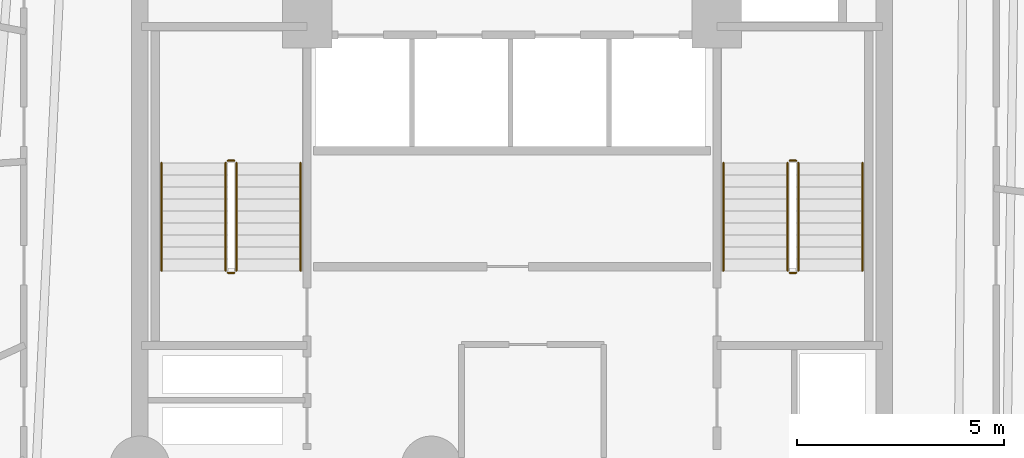
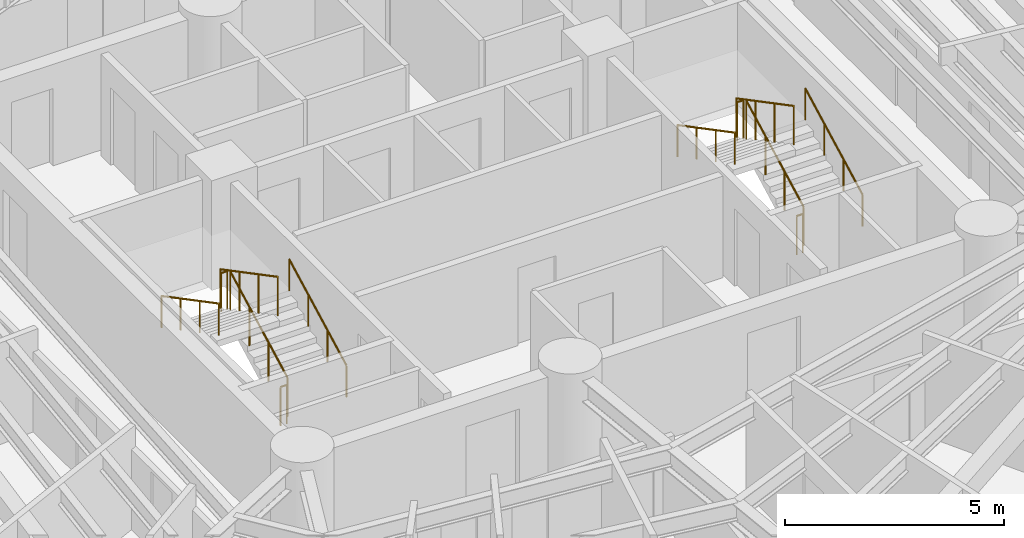
# One storey, part 7 of 7: 12 railings.
"""IFC4 building model written with IfcOpenShell, lengths in metres."""

from ifc_helpers import new_model, si_unit, direction, frame, origin, origin_2d, place, context, subcontext, project, spatial, circle, extrude, material, layer, layer_set, type_object, element, save


model = new_model("IFC4")

# Units and contexts
model_context = context("Model", 3, precision=1e-05, world=origin(), true_north=direction((0.0, 1.0)))
body_context = subcontext(model_context, "Body", "Model", "MODEL_VIEW")
ifc_project = project(units=[si_unit("LENGTHUNIT", "METRE"), si_unit("AREAUNIT", "SQUARE_METRE"), si_unit("VOLUMEUNIT", "CUBIC_METRE"), si_unit("PLANEANGLEUNIT", "RADIAN"), si_unit("MASSUNIT", "GRAM", prefix="KILO")], contexts=[model_context])

# Site, building, storey
site_placement = place(None, origin())
site = spatial("IfcSite", under=ifc_project, at=site_placement, CompositionType="ELEMENT")
building_placement = place(site_placement, origin())
building = spatial("IfcBuilding", under=site, at=building_placement, Name="Karkom Vertical University and Central Library", CompositionType="ELEMENT")
storey_placement = place(building_placement, frame((0.0, 0.0, 135.85009765625)))
storey = spatial("IfcBuildingStorey", under=building, at=storey_placement, Name="L38", CompositionType="ELEMENT", Elevation=135.85009765625)

# Railings
ifc_material_1 = material(Name="Painted galvanised steel balustrade", Category="steel")
ifc_layer_1 = layer(ifc_material_1, 0.06005859375)
ifc_layer_set_1 = layer_set([ifc_layer_1], Name="Painted galvanised steel balustrade")
railing_type_1 = type_object("IfcRailingType", Name="INT-RL-GUARD1100", PredefinedType="GUARDRAIL", material=ifc_layer_set_1)
railing_1_placement = place(storey_placement, frame((21.840087890625, 23.02001953125, 0.15234375)))
element("IfcRailing", 1, at=railing_1_placement, inside=storey, type_object=railing_type_1, Name="Level 38 ST-1 stair guard 1", PredefinedType="GUARDRAIL", context=body_context, shape_type="SweptSolid", body=[
    extrude(circle(Radius=0.02392578125, at=origin_2d()), frame((0.0, 0.0, 1.076171875), z_axis=(0.0, 0.885065446896, 0.46546659892), x_axis=(-1.0, 0.0, 0.0)), (0.0, 0.0, 1.0), 2.94873046875),
    extrude(circle(Radius=0.02099609375, at=origin_2d()), origin(), (0.0, 0.0, 1.0), 1.052001953125),
    extrude(circle(Radius=0.02099609375, at=origin_2d()), frame((0.0, 0.869873046875, 0.45751953125)), (0.0, 0.0, 1.0), 1.052001953125),
    extrude(circle(Radius=0.02099609375, at=origin_2d()), frame((0.0, 1.739990234375, 0.9150390625)), (0.0, 0.0, 1.0), 1.052001953125),
    extrude(circle(Radius=0.02099609375, at=origin_2d()), frame((0.0, 2.60986328125, 1.37255859375)), (0.0, 0.0, 1.0), 1.052001953125),
])
railing_2_placement = place(storey_placement, frame((21.7900390625, 25.679931640625, 1.52490234375)))
element("IfcRailing", 2, at=railing_2_placement, inside=storey, type_object=railing_type_1, Name="Level 38 ST-1 stair guard 2", PredefinedType="GUARDRAIL", context=body_context, shape_type="SweptSolid", body=[
    extrude(circle(Radius=0.02392578125, at=origin_2d()), frame((0.0, 0.0, 1.076171875), z_axis=(-1.0, 0.0, 0.0), x_axis=(0.0, -1.0, 0.0)), (0.0, 0.0, 1.0), 0.16015625),
    extrude(circle(Radius=0.02099609375, at=origin_2d()), origin(), (0.0, 0.0, 1.0), 1.052001953125),
    extrude(circle(Radius=0.02099609375, at=origin_2d()), frame((-0.16015625, 0.0, 0.0)), (0.0, 0.0, 1.0), 1.052001953125),
])
railing_3_placement = place(storey_placement, frame((21.580078125, 25.6298828125, 1.677490234375)))
element("IfcRailing", 3, at=railing_3_placement, inside=storey, type_object=railing_type_1, Name="Level 38 ST-1 stair guard 3", PredefinedType="GUARDRAIL", context=body_context, shape_type="SweptSolid", body=[
    extrude(circle(Radius=0.02392578125, at=origin_2d()), frame((0.0, 0.0, 1.076171875), z_axis=(0.0, -0.885099554253, 0.465401739426), x_axis=(1.0, 0.0, 0.0)), (0.0, 0.0, 1.0), 2.94873046875),
    extrude(circle(Radius=0.02099609375, at=origin_2d()), origin(), (0.0, 0.0, 1.0), 1.052001953125),
    extrude(circle(Radius=0.02099609375, at=origin_2d()), frame((0.0, -0.869873046875, 0.45751953125)), (0.0, 0.0, 1.0), 1.052001953125),
    extrude(circle(Radius=0.02099609375, at=origin_2d()), frame((0.0, -1.739990234375, 0.914794921875)), (0.0, 0.0, 1.0), 1.052001953125),
    extrude(circle(Radius=0.02099609375, at=origin_2d()), frame((0.0, -2.60986328125, 1.372314453125)), (0.0, 0.0, 1.0), 1.052001953125),
])
railing_4_placement = place(storey_placement, frame((21.7900390625, 22.969970703125, 0.0)))
element("IfcRailing", 4, at=railing_4_placement, inside=storey, type_object=railing_type_1, Name="Level 38 ST-1 stair guard 4", PredefinedType="GUARDRAIL", context=body_context, shape_type="SweptSolid", body=[
    extrude(circle(Radius=0.02392578125, at=origin_2d()), frame((0.0, 0.0, 1.076171875), z_axis=(-1.0, 0.0, 0.0), x_axis=(0.0, -1.0, 0.0)), (0.0, 0.0, 1.0), 0.16015625),
    extrude(circle(Radius=0.02099609375, at=origin_2d()), origin(), (0.0, 0.0, 1.0), 1.052001953125),
    extrude(circle(Radius=0.02099609375, at=origin_2d()), frame((-0.16015625, 0.0, 0.0)), (0.0, 0.0, 1.0), 1.052001953125),
])
railing_5_placement = place(storey_placement, frame((35.419921875, 23.02001953125, 0.15234375)))
element("IfcRailing", 5, at=railing_5_placement, inside=storey, type_object=railing_type_1, Name="Level 38 ST-2 stair guard 1", PredefinedType="GUARDRAIL", context=body_context, shape_type="SweptSolid", body=[
    extrude(circle(Radius=0.02392578125, at=origin_2d()), frame((0.0, 0.0, 1.076171875), z_axis=(0.0, 0.885065446896, 0.46546659892), x_axis=(-1.0, 0.0, 0.0)), (0.0, 0.0, 1.0), 2.94873046875),
    extrude(circle(Radius=0.02099609375, at=origin_2d()), origin(), (0.0, 0.0, 1.0), 1.052001953125),
    extrude(circle(Radius=0.02099609375, at=origin_2d()), frame((0.0, 0.869873046875, 0.45751953125)), (0.0, 0.0, 1.0), 1.052001953125),
    extrude(circle(Radius=0.02099609375, at=origin_2d()), frame((0.0, 1.739990234375, 0.9150390625)), (0.0, 0.0, 1.0), 1.052001953125),
    extrude(circle(Radius=0.02099609375, at=origin_2d()), frame((0.0, 2.60986328125, 1.37255859375)), (0.0, 0.0, 1.0), 1.052001953125),
])
railing_6_placement = place(storey_placement, frame((35.3701171875, 25.679931640625, 1.52490234375)))
element("IfcRailing", 6, at=railing_6_placement, inside=storey, type_object=railing_type_1, Name="Level 38 ST-2 stair guard 2", PredefinedType="GUARDRAIL", context=body_context, shape_type="SweptSolid", body=[
    extrude(circle(Radius=0.02392578125, at=origin_2d()), frame((0.0, 0.0, 1.076171875), z_axis=(-1.0, 0.0, 0.0), x_axis=(0.0, -1.0, 0.0)), (0.0, 0.0, 1.0), 0.16015625),
    extrude(circle(Radius=0.02099609375, at=origin_2d()), origin(), (0.0, 0.0, 1.0), 1.052001953125),
    extrude(circle(Radius=0.02099609375, at=origin_2d()), frame((-0.16015625, 0.0, 0.0)), (0.0, 0.0, 1.0), 1.052001953125),
])
railing_7_placement = place(storey_placement, frame((35.159912109375, 25.6298828125, 1.677490234375)))
element("IfcRailing", 7, at=railing_7_placement, inside=storey, type_object=railing_type_1, Name="Level 38 ST-2 stair guard 3", PredefinedType="GUARDRAIL", context=body_context, shape_type="SweptSolid", body=[
    extrude(circle(Radius=0.02392578125, at=origin_2d()), frame((0.0, 0.0, 1.076171875), z_axis=(0.0, -0.885099554253, 0.465401739426), x_axis=(1.0, 0.0, 0.0)), (0.0, 0.0, 1.0), 2.94873046875),
    extrude(circle(Radius=0.02099609375, at=origin_2d()), origin(), (0.0, 0.0, 1.0), 1.052001953125),
    extrude(circle(Radius=0.02099609375, at=origin_2d()), frame((0.0, -0.869873046875, 0.45751953125)), (0.0, 0.0, 1.0), 1.052001953125),
    extrude(circle(Radius=0.02099609375, at=origin_2d()), frame((0.0, -1.739990234375, 0.914794921875)), (0.0, 0.0, 1.0), 1.052001953125),
    extrude(circle(Radius=0.02099609375, at=origin_2d()), frame((0.0, -2.60986328125, 1.372314453125)), (0.0, 0.0, 1.0), 1.052001953125),
])
railing_8_placement = place(storey_placement, frame((35.3701171875, 22.969970703125, 0.0)))
element("IfcRailing", 8, at=railing_8_placement, inside=storey, type_object=railing_type_1, Name="Level 38 ST-2 stair guard 4", PredefinedType="GUARDRAIL", context=body_context, shape_type="SweptSolid", body=[
    extrude(circle(Radius=0.02392578125, at=origin_2d()), frame((0.0, 0.0, 1.076171875), z_axis=(-1.0, 0.0, 0.0), x_axis=(0.0, -1.0, 0.0)), (0.0, 0.0, 1.0), 0.16015625),
    extrude(circle(Radius=0.02099609375, at=origin_2d()), origin(), (0.0, 0.0, 1.0), 1.052001953125),
    extrude(circle(Radius=0.02099609375, at=origin_2d()), frame((-0.16015625, 0.0, 0.0)), (0.0, 0.0, 1.0), 1.052001953125),
])
ifc_material_2 = material(Name="Brushed stainless-steel tubular handrail", Category="steel")
ifc_layer_2 = layer(ifc_material_2, 0.048095703125)
ifc_layer_set_2 = layer_set([ifc_layer_2], Name="Brushed stainless-steel tubular handrail")
railing_type_2 = type_object("IfcRailingType", Name="INT-RL-HAND920", PredefinedType="HANDRAIL", material=ifc_layer_set_2)
railing_9_placement = place(storey_placement, frame((23.389892578125, 23.02001953125, 0.15234375)))
element("IfcRailing", 9, at=railing_9_placement, inside=storey, type_object=railing_type_2, Name="Level 38 ST-1 stair handrail 1", PredefinedType="HANDRAIL", context=body_context, shape_type="SweptSolid", body=[
    extrude(circle(Radius=0.02392578125, at=origin_2d()), frame((0.0, 0.0, 0.8759765625), z_axis=(0.0, 0.885065446896, 0.46546659892), x_axis=(-1.0, 0.0, 0.0)), (0.0, 0.0, 1.0), 2.94873046875),
    extrude(circle(Radius=0.02099609375, at=origin_2d()), origin(), (0.0, 0.0, 1.0), 0.851806640625),
    extrude(circle(Radius=0.02099609375, at=origin_2d()), frame((0.0, 0.869873046875, 0.45751953125)), (0.0, 0.0, 1.0), 0.851806640625),
    extrude(circle(Radius=0.02099609375, at=origin_2d()), frame((0.0, 1.739990234375, 0.9150390625)), (0.0, 0.0, 1.0), 0.851806640625),
    extrude(circle(Radius=0.02099609375, at=origin_2d()), frame((0.0, 2.60986328125, 1.37255859375)), (0.0, 0.0, 1.0), 0.851806640625),
])
railing_10_placement = place(storey_placement, frame((20.030029296875, 25.6298828125, 1.677490234375)))
element("IfcRailing", 10, at=railing_10_placement, inside=storey, type_object=railing_type_2, Name="Level 38 ST-1 stair handrail 2", PredefinedType="HANDRAIL", context=body_context, shape_type="SweptSolid", body=[
    extrude(circle(Radius=0.02392578125, at=origin_2d()), frame((0.0, 0.0, 0.8759765625), z_axis=(0.0, -0.885099554253, 0.465401739426), x_axis=(1.0, 0.0, 0.0)), (0.0, 0.0, 1.0), 2.94873046875),
    extrude(circle(Radius=0.02099609375, at=origin_2d()), origin(), (0.0, 0.0, 1.0), 0.851806640625),
    extrude(circle(Radius=0.02099609375, at=origin_2d()), frame((0.0, -0.869873046875, 0.45751953125)), (0.0, 0.0, 1.0), 0.851806640625),
    extrude(circle(Radius=0.02099609375, at=origin_2d()), frame((0.0, -1.739990234375, 0.914794921875)), (0.0, 0.0, 1.0), 0.851806640625),
    extrude(circle(Radius=0.02099609375, at=origin_2d()), frame((0.0, -2.60986328125, 1.372314453125)), (0.0, 0.0, 1.0), 0.851806640625),
])
railing_11_placement = place(storey_placement, frame((36.969970703125, 23.02001953125, 0.15234375)))
element("IfcRailing", 11, at=railing_11_placement, inside=storey, type_object=railing_type_2, Name="Level 38 ST-2 stair handrail 1", PredefinedType="HANDRAIL", context=body_context, shape_type="SweptSolid", body=[
    extrude(circle(Radius=0.02392578125, at=origin_2d()), frame((0.0, 0.0, 0.8759765625), z_axis=(0.0, 0.885065446896, 0.46546659892), x_axis=(-1.0, 0.0, 0.0)), (0.0, 0.0, 1.0), 2.94873046875),
    extrude(circle(Radius=0.02099609375, at=origin_2d()), origin(), (0.0, 0.0, 1.0), 0.851806640625),
    extrude(circle(Radius=0.02099609375, at=origin_2d()), frame((0.0, 0.869873046875, 0.45751953125)), (0.0, 0.0, 1.0), 0.851806640625),
    extrude(circle(Radius=0.02099609375, at=origin_2d()), frame((0.0, 1.739990234375, 0.9150390625)), (0.0, 0.0, 1.0), 0.851806640625),
    extrude(circle(Radius=0.02099609375, at=origin_2d()), frame((0.0, 2.60986328125, 1.37255859375)), (0.0, 0.0, 1.0), 0.851806640625),
])
railing_12_placement = place(storey_placement, frame((33.610107421875, 25.6298828125, 1.677490234375)))
element("IfcRailing", 12, at=railing_12_placement, inside=storey, type_object=railing_type_2, Name="Level 38 ST-2 stair handrail 2", PredefinedType="HANDRAIL", context=body_context, shape_type="SweptSolid", body=[
    extrude(circle(Radius=0.02392578125, at=origin_2d()), frame((0.0, 0.0, 0.8759765625), z_axis=(0.0, -0.885099554253, 0.465401739426), x_axis=(1.0, 0.0, 0.0)), (0.0, 0.0, 1.0), 2.94873046875),
    extrude(circle(Radius=0.02099609375, at=origin_2d()), origin(), (0.0, 0.0, 1.0), 0.851806640625),
    extrude(circle(Radius=0.02099609375, at=origin_2d()), frame((0.0, -0.869873046875, 0.45751953125)), (0.0, 0.0, 1.0), 0.851806640625),
    extrude(circle(Radius=0.02099609375, at=origin_2d()), frame((0.0, -1.739990234375, 0.914794921875)), (0.0, 0.0, 1.0), 0.851806640625),
    extrude(circle(Radius=0.02099609375, at=origin_2d()), frame((0.0, -2.60986328125, 1.372314453125)), (0.0, 0.0, 1.0), 0.851806640625),
])

save(model, "model.ifc")
